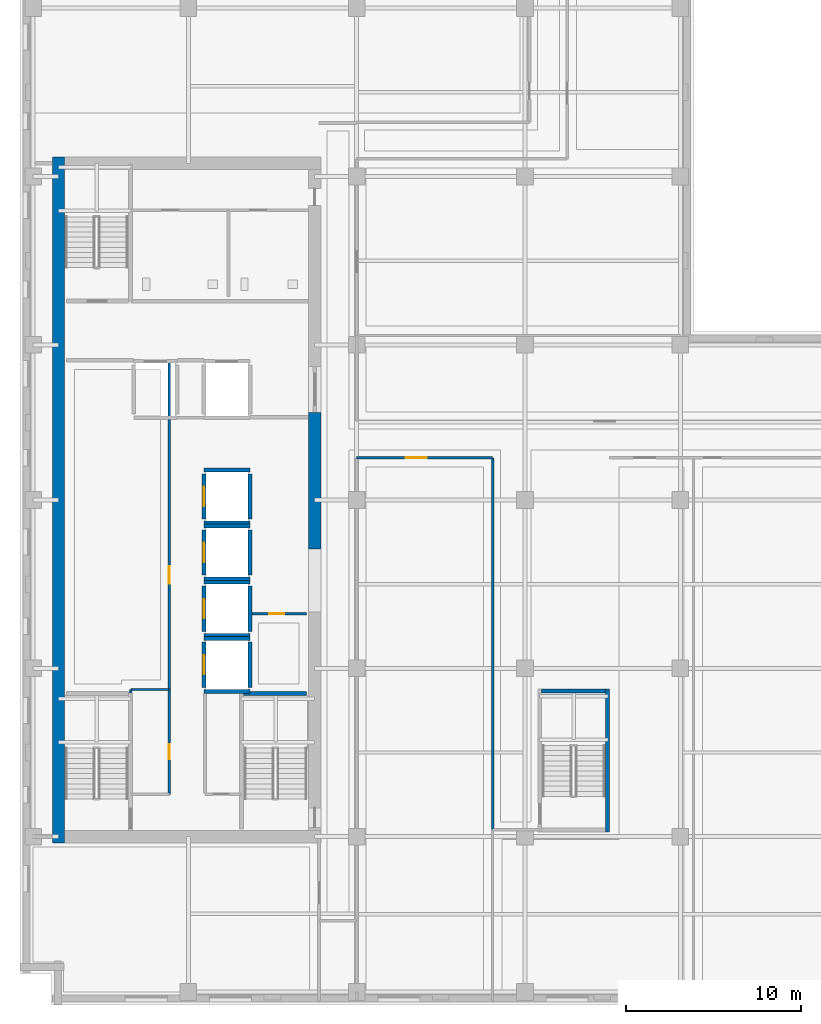
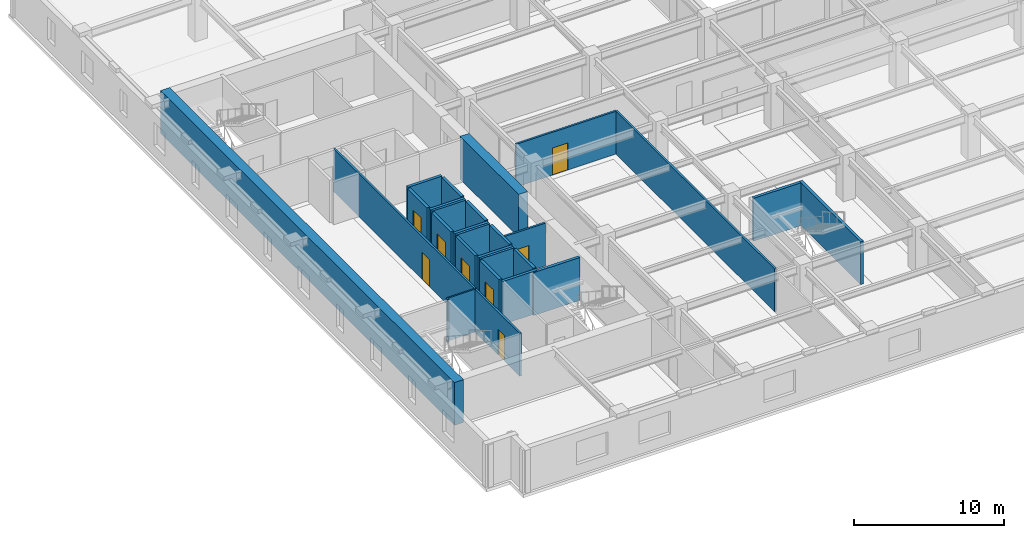
# One storey, part 5 of 13: 27 walls, 8 doors, 8 openings.
"""IFC4 building model written with IfcOpenShell, lengths in metres."""

from ifc_helpers import new_model, si_unit, direction, frame, frame_2d, origin, place, context, subcontext, project, spatial, rectangle, extrude, material, layer, layer_set, type_object, element, fill, save


model = new_model("IFC4")

# Units and contexts
model_context = context("Model", 3, precision=1e-05, world=origin(), true_north=direction((0.0, 1.0)))
body_context = subcontext(model_context, "Body", "Model", "MODEL_VIEW")
ifc_project = project(units=[si_unit("LENGTHUNIT", "METRE"), si_unit("AREAUNIT", "SQUARE_METRE"), si_unit("VOLUMEUNIT", "CUBIC_METRE"), si_unit("PLANEANGLEUNIT", "RADIAN"), si_unit("MASSUNIT", "GRAM", prefix="KILO")], contexts=[model_context])

# Site, building, storey
site_placement = place(None, origin())
site = spatial("IfcSite", under=ifc_project, at=site_placement, CompositionType="ELEMENT")
building_placement = place(site_placement, origin())
building = spatial("IfcBuilding", under=site, at=building_placement, Name="Norrvale University Quadrangle", CompositionType="ELEMENT")
storey_placement = place(building_placement, frame((0.0, 0.0, 190.199951171875)))
storey = spatial("IfcBuildingStorey", under=building, at=storey_placement, Name="L48", CompositionType="ELEMENT", Elevation=190.199951171875)

# Walls
ifc_material_1 = material(Name="Concrete C60/75", Category="concrete")
ifc_layer_1 = layer(ifc_material_1, 0.699951171875, Name="Concrete C60/75")
ifc_layer_set_1 = layer_set([ifc_layer_1], Name="Concrete C60/75")
wall_type_1 = type_object("IfcWallType", Name="Wall Core 700", PredefinedType="SHEAR", material=ifc_layer_set_1)
wall_1_placement = place(storey_placement, frame((2.199951171875, 9.25, 0.0), z_axis=(0.0, 0.0, 1.0), x_axis=(0.0, 1.0, 0.0)))
element("IfcWall", 1, at=wall_1_placement, inside=storey, type_object=wall_type_1, Name="Tower Core Shear Wall L48-W", PredefinedType="SHEAR", context=body_context, shape_type="SweptSolid", body=[
    extrude(rectangle(XDim=39.10009765625, YDim=0.699951171875, at=frame_2d((19.550048828125, 0.0))), origin(), (0.0, 0.0, 1.0), 3.47998046875),
])
wall_2_placement = place(storey_placement, frame((16.800048828125, 26.0, 0.0), z_axis=(0.0, 0.0, 1.0), x_axis=(0.0, 1.0, 0.0)))
element("IfcWall", 2, at=wall_2_placement, inside=storey, type_object=wall_type_1, Name="Tower Core Shear Wall L48-E2", PredefinedType="SHEAR", context=body_context, shape_type="SweptSolid", body=[
    extrude(rectangle(XDim=7.800048828125, YDim=0.699951171875, at=frame_2d((3.89990234375, 0.0))), origin(), (0.0, 0.0, 1.0), 3.47998046875),
])
ifc_material_2 = material(Name="Standard Academic Gypsum Partition")
ifc_layer_2 = layer(ifc_material_2, 0.125, Name="Standard Academic Gypsum Partition")
ifc_layer_set_2 = layer_set([ifc_layer_2], Name="Standard Academic Gypsum Partition")
wall_type_2 = type_object("IfcWallType", Name="Wall Gypsum Academic 125", PredefinedType="PARTITIONING", material=ifc_layer_set_2)
wall_3_placement = place(storey_placement, frame((6.320068359375, 17.800048828125, 0.0), z_axis=(0.0, 0.0, 1.0), x_axis=(0.0, 1.0, 0.0)))
element("IfcWall", 3, at=wall_3_placement, inside=storey, type_object=wall_type_2, Name="Interior Partition WL-L48-REC-L1", PredefinedType="PARTITIONING", context=body_context, shape_type="SweptSolid", body=[
    extrude(rectangle(XDim=0.199951171875, YDim=0.125, at=frame_2d((0.10009765625, 0.0))), origin(), (0.0, 0.0, 1.0), 3.47998046875),
])
wall_4_placement = place(storey_placement, frame((6.320068359375, 18.0, 0.0), z_axis=(0.0, 0.0, 1.0), x_axis=(1.0, 0.0, 0.0)))
element("IfcWall", 4, at=wall_4_placement, inside=storey, type_object=wall_type_2, Name="Interior Partition WL-L48-REC-L2", PredefinedType="PARTITIONING", context=body_context, shape_type="SweptSolid", body=[
    extrude(rectangle(XDim=2.199951171875, YDim=0.125, at=frame_2d((1.10009765625, 0.0))), origin(), (0.0, 0.0, 1.0), 3.47998046875),
])

# Wall, opening, door
ifc_material_3 = material(Name="Fire-Rated Gypsum Stud Partition")
ifc_layer_3 = layer(ifc_material_3, 0.14990234375, Name="Fire-Rated Gypsum Stud Partition")
ifc_layer_set_3 = layer_set([ifc_layer_3], Name="Fire-Rated Gypsum Stud Partition")
wall_type_3 = type_object("IfcWallType", Name="Wall Gypsum Corridor 150", PredefinedType="PARTITIONING", material=ifc_layer_set_3)
wall_5_placement = place(storey_placement, frame((13.22509765625, 22.320068359375, 0.0), z_axis=(0.0, 0.0, 1.0), x_axis=(1.0, 0.0, 0.0)))
wall_5 = element("IfcWall", 5, at=wall_5_placement, inside=storey, type_object=wall_type_3, Name="Interior Partition WL-L48-JAN-N", PredefinedType="PARTITIONING", context=body_context, shape_type="SweptSolid", body=[
    extrude(rectangle(XDim=3.119873046875, YDim=0.14990234375, at=frame_2d((1.56005859375, 0.0))), origin(), (0.0, 0.0, 1.0), 3.47998046875),
])
opening_1_placement = place(wall_5_placement, frame((1.0, 0.0, 0.0)))
opening_1 = element("IfcOpeningElement", 6, at=opening_1_placement, cuts=wall_5, Name="Opening D10", PredefinedType="OPENING", context=body_context, shape_type="SweptSolid", body=[
    extrude(rectangle(XDim=0.85009765625, YDim=2.10009765625, at=frame_2d((0.425048828125, 1.050048828125))), frame((0.0, 0.0869140625, 0.0), z_axis=(0.0, -1.0, 0.0), x_axis=(1.0, 0.0, 0.0)), (0.0, 0.0, 1.0), 0.173828125),
])
ifc_material_4 = material(Name="Hollow Steel 350W Riser Fire Door", Category="steel")
door_type_1 = type_object("IfcDoorType", Name="Door Riser 850x2100", OperationType="NOTDEFINED", PredefinedType="DOOR", material=ifc_material_4)
door_1_placement = place(opening_1_placement, origin())
door_1 = element("IfcDoor", 7, at=door_1_placement, inside=storey, type_object=door_type_1, Name="Door Riser 850x2100 DR-L48-JAN", OperationType="SINGLE_SWING_LEFT", OverallHeight=2.10009765625, OverallWidth=0.85009765625, PredefinedType="DOOR", context=body_context, shape_type="SweptSolid", body=[
    extrude(rectangle(XDim=0.85009765625, YDim=2.10009765625, at=frame_2d((0.425048828125, 1.050048828125))), frame((0.0, 0.02490234375, 0.0), z_axis=(0.0, -1.0, 0.0), x_axis=(1.0, 0.0, 0.0)), (0.0, 0.0, 1.0), 0.050048828125),
])
fill(opening_1, door_1)

# Wall, openings, doors
wall_6_placement = place(storey_placement, frame((8.52001953125, 12.02001953125, 0.0), z_axis=(0.0, 0.0, 1.0), x_axis=(0.0, 1.0, 0.0)))
wall_6 = element("IfcWall", 8, at=wall_6_placement, inside=storey, type_object=wall_type_3, Name="Interior Partition WL-L48-REC-E", PredefinedType="PARTITIONING", context=body_context, shape_type="SweptSolid", body=[
    extrude(rectangle(XDim=24.760009765625, YDim=0.14990234375, at=frame_2d((12.3798828125, 0.0))), origin(), (0.0, 0.0, 1.0), 3.47998046875),
])
opening_2_placement = place(wall_6_placement, frame((2.0, 0.0, 0.0)))
opening_2 = element("IfcOpeningElement", 9, at=opening_2_placement, cuts=wall_6, Name="Opening D10", PredefinedType="OPENING", context=body_context, shape_type="SweptSolid", body=[
    extrude(rectangle(XDim=0.85009765625, YDim=2.10009765625, at=frame_2d((0.425048828125, 1.050048828125))), frame((0.0, 0.0869140625, 0.0), z_axis=(0.0, -1.0, 0.0), x_axis=(1.0, 0.0, 0.0)), (0.0, 0.0, 1.0), 0.173828125),
])
opening_3_placement = place(wall_6_placement, frame((12.0, 0.0, 0.0)))
opening_3 = element("IfcOpeningElement", 10, at=opening_3_placement, cuts=wall_6, Name="Opening D04", PredefinedType="OPENING", context=body_context, shape_type="SweptSolid", body=[
    extrude(rectangle(XDim=1.0, YDim=2.199951171875, at=frame_2d((0.5, 1.10009765625))), frame((0.0, 0.0869140625, 0.0), z_axis=(0.0, -1.0, 0.0), x_axis=(1.0, 0.0, 0.0)), (0.0, 0.0, 1.0), 0.173828125),
])
ifc_material_5 = material(Name="Solid-Core Oak Fire Door", Category="wood")
door_type_2 = type_object("IfcDoorType", Name="Door Corridor 1000x2200", OperationType="NOTDEFINED", PredefinedType="DOOR", material=ifc_material_5)
door_2_placement = place(opening_3_placement, origin())
door_2 = element("IfcDoor", 11, at=door_2_placement, inside=storey, type_object=door_type_2, Name="Door Corridor 1000x2200 DR-L48-REC2", OperationType="SINGLE_SWING_RIGHT", OverallHeight=2.199951171875, OverallWidth=1.0, PredefinedType="DOOR", context=body_context, shape_type="SweptSolid", body=[
    extrude(rectangle(XDim=1.0, YDim=2.199951171875, at=frame_2d((0.5, 1.10009765625))), frame((0.0, 0.02490234375, 0.0), z_axis=(0.0, -1.0, 0.0), x_axis=(1.0, 0.0, 0.0)), (0.0, 0.0, 1.0), 0.050048828125),
])
fill(opening_3, door_2)
door_3_placement = place(opening_2_placement, origin())
door_3 = element("IfcDoor", 12, at=door_3_placement, inside=storey, type_object=door_type_1, Name="Door Riser 850x2100 DR-L48-REC1", OperationType="SINGLE_SWING_LEFT", OverallHeight=2.10009765625, OverallWidth=0.85009765625, PredefinedType="DOOR", context=body_context, shape_type="SweptSolid", body=[
    extrude(rectangle(XDim=0.85009765625, YDim=2.10009765625, at=frame_2d((0.425048828125, 1.050048828125))), frame((0.0, 0.02490234375, 0.0), z_axis=(0.0, -1.0, 0.0), x_axis=(1.0, 0.0, 0.0)), (0.0, 0.0, 1.0), 0.050048828125),
])
fill(opening_2, door_3)

# Wall, opening, door
wall_7_placement = place(storey_placement, frame((19.199951171875, 31.199951171875, 0.0), z_axis=(0.0, 0.0, 1.0), x_axis=(1.0, 0.0, 0.0)))
wall_7 = element("IfcWall", 13, at=wall_7_placement, inside=storey, type_object=wall_type_3, Name="Interior Partition WL-L48-SEW1", PredefinedType="PARTITIONING", context=body_context, shape_type="SweptSolid", body=[
    extrude(rectangle(XDim=7.75, YDim=0.14990234375, at=frame_2d((3.875, 0.0))), origin(), (0.0, 0.0, 1.0), 3.47998046875),
])
opening_4_placement = place(wall_7_placement, frame((2.800048828125, 0.0, 0.0)))
opening_4 = element("IfcOpeningElement", 14, at=opening_4_placement, cuts=wall_7, Name="Opening D05", PredefinedType="OPENING", context=body_context, shape_type="SweptSolid", body=[
    extrude(rectangle(XDim=1.199951171875, YDim=2.199951171875, at=frame_2d((0.60009765625, 1.10009765625))), frame((0.0, 0.0869140625, 0.0), z_axis=(0.0, -1.0, 0.0), x_axis=(1.0, 0.0, 0.0)), (0.0, 0.0, 1.0), 0.173828125),
])
ifc_material_6 = material(Name="Acoustic Oak Classroom Door", Category="wood")
door_type_3 = type_object("IfcDoorType", Name="Door Classroom 1200x2200", OperationType="NOTDEFINED", PredefinedType="DOOR", material=ifc_material_6)
door_4_placement = place(opening_4_placement, origin())
door_4 = element("IfcDoor", 15, at=door_4_placement, inside=storey, type_object=door_type_3, Name="Door Classroom 1200x2200 DR-L48-SE1", OperationType="SINGLE_SWING_LEFT", OverallHeight=2.199951171875, OverallWidth=1.199951171875, PredefinedType="DOOR", context=body_context, shape_type="SweptSolid", body=[
    extrude(rectangle(XDim=1.199951171875, YDim=2.199951171875, at=frame_2d((0.60009765625, 1.10009765625))), frame((0.0, 0.02490234375, 0.0), z_axis=(0.0, -1.0, 0.0), x_axis=(1.0, 0.0, 0.0)), (0.0, 0.0, 1.0), 0.050048828125),
])
fill(opening_4, door_4)

# Walls
wall_8_placement = place(storey_placement, frame((26.949951171875, 10.0, 0.0), z_axis=(0.0, 0.0, 1.0), x_axis=(0.0, 1.0, 0.0)))
element("IfcWall", 16, at=wall_8_placement, inside=storey, type_object=wall_type_3, Name="Interior Partition WL-L48-SEP1B", PredefinedType="PARTITIONING", context=body_context, shape_type="SweptSolid", body=[
    extrude(rectangle(XDim=21.199951171875, YDim=0.14990234375, at=frame_2d((10.60009765625, 0.0))), origin(), (0.0, 0.0, 1.0), 3.47998046875),
])
ifc_material_7 = material(Name="Concrete Blockwork 20 MPa Fire Shaft", Category="masonry")
ifc_layer_4 = layer(ifc_material_7, 0.219970703125, Name="Concrete Blockwork 20 MPa Fire Shaft")
ifc_layer_set_4 = layer_set([ifc_layer_4], Name="Concrete Blockwork 20 MPa Fire Shaft")
wall_type_4 = type_object("IfcWallType", Name="Wall Shaft 220", PredefinedType="SOLIDWALL", material=ifc_layer_set_4)
wall_9_placement = place(storey_placement, frame((12.75, 17.760009765625, 0.0), z_axis=(0.0, 0.0, 1.0), x_axis=(1.0, 0.0, 0.0)))
element("IfcWall", 17, at=wall_9_placement, inside=storey, type_object=wall_type_4, Name="Stair ST-03 North Shaft Wall L48", PredefinedType="SOLIDWALL", context=body_context, shape_type="SweptSolid", body=[
    extrude(rectangle(XDim=3.60009765625, YDim=0.219970703125, at=frame_2d((1.800048828125, 0.0))), origin(), (0.0, 0.0, 1.0), 3.47998046875),
])
wall_10_placement = place(storey_placement, frame((33.510009765625, 9.8798828125, 0.0), z_axis=(0.0, 0.0, 1.0), x_axis=(0.0, 1.0, 0.0)))
element("IfcWall", 18, at=wall_10_placement, inside=storey, type_object=wall_type_4, Name="Stair ST-04 East Shaft Wall L48", PredefinedType="SOLIDWALL", context=body_context, shape_type="SweptSolid", body=[
    extrude(rectangle(XDim=8.14013671875, YDim=0.219970703125, at=frame_2d((4.070068359375, 0.0))), origin(), (0.0, 0.0, 1.0), 3.47998046875),
])
wall_11_placement = place(storey_placement, frame((29.75, 17.909912109375, 0.0), z_axis=(0.0, 0.0, 1.0), x_axis=(1.0, 0.0, 0.0)))
element("IfcWall", 19, at=wall_11_placement, inside=storey, type_object=wall_type_4, Name="Stair ST-04 North Shaft Wall L48", PredefinedType="SOLIDWALL", context=body_context, shape_type="SweptSolid", body=[
    extrude(rectangle(XDim=3.64990234375, YDim=0.219970703125, at=frame_2d((1.824951171875, 0.0))), origin(), (0.0, 0.0, 1.0), 3.47998046875),
])

# Wall, opening, door
wall_12_placement = place(storey_placement, frame((10.489990234375, 18.110107421875, 0.0), z_axis=(0.0, 0.0, 1.0), x_axis=(0.0, 1.0, 0.0)))
wall_12 = element("IfcWall", 20, at=wall_12_placement, inside=storey, type_object=wall_type_4, Name="Hoistway PL-05 West Wall L48", PredefinedType="SOLIDWALL", context=body_context, shape_type="SweptSolid", body=[
    extrude(rectangle(XDim=2.579833984375, YDim=0.219970703125, at=frame_2d((1.2900390625, 0.0))), origin(), (0.0, 0.0, 1.0), 3.47998046875),
])
opening_5_placement = place(wall_12_placement, frame((0.739990234375, 0.0, 0.0)))
opening_5 = element("IfcOpeningElement", 21, at=opening_5_placement, cuts=wall_12, Name="Opening LD1", PredefinedType="OPENING", context=body_context, shape_type="SweptSolid", body=[
    extrude(rectangle(XDim=1.10009765625, YDim=2.199951171875, at=frame_2d((0.550048828125, 1.10009765625))), frame((0.0, 0.1220703125, 0.0), z_axis=(0.0, -1.0, 0.0), x_axis=(1.0, 0.0, 0.0)), (0.0, 0.0, 1.0), 0.243896484375),
])
ifc_material_8 = material(Name="Stainless Steel 316L Lift Landing Door", Category="steel")
door_type_4 = type_object("IfcDoorType", Name="Door Lift Landing 1100x2200", OperationType="DOUBLE_DOOR_SLIDING", PredefinedType="DOOR", material=ifc_material_8)
door_5_placement = place(opening_5_placement, origin())
door_5 = element("IfcDoor", 22, at=door_5_placement, inside=storey, type_object=door_type_4, Name="Elevator Landing Door DR-L48-PL-05", OperationType="DOUBLE_DOOR_SLIDING", OverallHeight=2.199951171875, OverallWidth=1.10009765625, PredefinedType="DOOR", context=body_context, shape_type="SweptSolid", body=[
    extrude(rectangle(XDim=1.10009765625, YDim=2.199951171875, at=frame_2d((0.550048828125, 1.10009765625))), frame((0.0, 0.02490234375, 0.0), z_axis=(0.0, -1.0, 0.0), x_axis=(1.0, 0.0, 0.0)), (0.0, 0.0, 1.0), 0.050048828125),
])
fill(opening_5, door_5)

# Walls
wall_13_placement = place(storey_placement, frame((13.110107421875, 18.110107421875, 0.0), z_axis=(0.0, 0.0, 1.0), x_axis=(0.0, 1.0, 0.0)))
element("IfcWall", 23, at=wall_13_placement, inside=storey, type_object=wall_type_4, Name="Hoistway PL-05 East Wall L48", PredefinedType="SOLIDWALL", context=body_context, shape_type="SweptSolid", body=[
    extrude(rectangle(XDim=2.579833984375, YDim=0.219970703125, at=frame_2d((1.2900390625, 0.0))), origin(), (0.0, 0.0, 1.0), 3.47998046875),
])
for number, where, z_axis, x_axis, name in (
    (24, (10.489990234375, 17.889892578125, 0.0), (0.0, 0.0, 1.0), (1.0, 0.0, 0.0), "Hoistway PL-05 South Wall L48"),
    (25, (10.489990234375, 20.909912109375, 0.0), (0.0, 0.0, 1.0), (1.0, 0.0, 0.0), "Hoistway PL-05 North Wall L48"),
):
    element("IfcWall", number, at=place(storey_placement, frame(where, z_axis=z_axis, x_axis=x_axis)), inside=storey, type_object=wall_type_4, Name=name, PredefinedType="SOLIDWALL", context=body_context, shape_type="SweptSolid", body=[
        extrude(rectangle(XDim=2.6201171875, YDim=0.219970703125, at=frame_2d((1.31005859375, 0.0))), origin(), (0.0, 0.0, 1.0), 3.47998046875),
    ])

# Wall, opening, door
wall_14_placement = place(storey_placement, frame((10.489990234375, 21.31005859375, 0.0), z_axis=(0.0, 0.0, 1.0), x_axis=(0.0, 1.0, 0.0)))
wall_14 = element("IfcWall", 26, at=wall_14_placement, inside=storey, type_object=wall_type_4, Name="Hoistway PL-06 West Wall L48", PredefinedType="SOLIDWALL", context=body_context, shape_type="SweptSolid", body=[
    extrude(rectangle(XDim=2.579833984375, YDim=0.219970703125, at=frame_2d((1.2900390625, 0.0))), origin(), (0.0, 0.0, 1.0), 3.47998046875),
])
opening_6_placement = place(wall_14_placement, frame((0.739990234375, 0.0, 0.0)))
opening_6 = element("IfcOpeningElement", 27, at=opening_6_placement, cuts=wall_14, Name="Opening LD1", PredefinedType="OPENING", context=body_context, shape_type="SweptSolid", body=[
    extrude(rectangle(XDim=1.10009765625, YDim=2.199951171875, at=frame_2d((0.550048828125, 1.10009765625))), frame((0.0, 0.1220703125, 0.0), z_axis=(0.0, -1.0, 0.0), x_axis=(1.0, 0.0, 0.0)), (0.0, 0.0, 1.0), 0.243896484375),
])
door_6_placement = place(opening_6_placement, origin())
door_6 = element("IfcDoor", 28, at=door_6_placement, inside=storey, type_object=door_type_4, Name="Elevator Landing Door DR-L48-PL-06", OperationType="DOUBLE_DOOR_SLIDING", OverallHeight=2.199951171875, OverallWidth=1.10009765625, PredefinedType="DOOR", context=body_context, shape_type="SweptSolid", body=[
    extrude(rectangle(XDim=1.10009765625, YDim=2.199951171875, at=frame_2d((0.550048828125, 1.10009765625))), frame((0.0, 0.02490234375, 0.0), z_axis=(0.0, -1.0, 0.0), x_axis=(1.0, 0.0, 0.0)), (0.0, 0.0, 1.0), 0.050048828125),
])
fill(opening_6, door_6)

# Walls
wall_15_placement = place(storey_placement, frame((13.110107421875, 21.31005859375, 0.0), z_axis=(0.0, 0.0, 1.0), x_axis=(0.0, 1.0, 0.0)))
element("IfcWall", 29, at=wall_15_placement, inside=storey, type_object=wall_type_4, Name="Hoistway PL-06 East Wall L48", PredefinedType="SOLIDWALL", context=body_context, shape_type="SweptSolid", body=[
    extrude(rectangle(XDim=2.579833984375, YDim=0.219970703125, at=frame_2d((1.2900390625, 0.0))), origin(), (0.0, 0.0, 1.0), 3.47998046875),
])
for number, where, z_axis, x_axis, name in (
    (30, (10.489990234375, 21.090087890625, 0.0), (0.0, 0.0, 1.0), (1.0, 0.0, 0.0), "Hoistway PL-06 South Wall L48"),
    (31, (10.489990234375, 24.110107421875, 0.0), (0.0, 0.0, 1.0), (1.0, 0.0, 0.0), "Hoistway PL-06 North Wall L48"),
):
    element("IfcWall", number, at=place(storey_placement, frame(where, z_axis=z_axis, x_axis=x_axis)), inside=storey, type_object=wall_type_4, Name=name, PredefinedType="SOLIDWALL", context=body_context, shape_type="SweptSolid", body=[
        extrude(rectangle(XDim=2.6201171875, YDim=0.219970703125, at=frame_2d((1.31005859375, 0.0))), origin(), (0.0, 0.0, 1.0), 3.47998046875),
    ])

# Wall, opening, door
wall_16_placement = place(storey_placement, frame((10.489990234375, 24.510009765625, 0.0), z_axis=(0.0, 0.0, 1.0), x_axis=(0.0, 1.0, 0.0)))
wall_16 = element("IfcWall", 32, at=wall_16_placement, inside=storey, type_object=wall_type_4, Name="Hoistway PL-07 West Wall L48", PredefinedType="SOLIDWALL", context=body_context, shape_type="SweptSolid", body=[
    extrude(rectangle(XDim=2.580078125, YDim=0.219970703125, at=frame_2d((1.2900390625, 0.0))), origin(), (0.0, 0.0, 1.0), 3.47998046875),
])
opening_7_placement = place(wall_16_placement, frame((0.739990234375, 0.0, 0.0)))
opening_7 = element("IfcOpeningElement", 33, at=opening_7_placement, cuts=wall_16, Name="Opening LD1", PredefinedType="OPENING", context=body_context, shape_type="SweptSolid", body=[
    extrude(rectangle(XDim=1.10009765625, YDim=2.199951171875, at=frame_2d((0.550048828125, 1.10009765625))), frame((0.0, 0.1220703125, 0.0), z_axis=(0.0, -1.0, 0.0), x_axis=(1.0, 0.0, 0.0)), (0.0, 0.0, 1.0), 0.243896484375),
])
door_7_placement = place(opening_7_placement, origin())
door_7 = element("IfcDoor", 34, at=door_7_placement, inside=storey, type_object=door_type_4, Name="Elevator Landing Door DR-L48-PL-07", OperationType="DOUBLE_DOOR_SLIDING", OverallHeight=2.199951171875, OverallWidth=1.10009765625, PredefinedType="DOOR", context=body_context, shape_type="SweptSolid", body=[
    extrude(rectangle(XDim=1.10009765625, YDim=2.199951171875, at=frame_2d((0.550048828125, 1.10009765625))), frame((0.0, 0.02490234375, 0.0), z_axis=(0.0, -1.0, 0.0), x_axis=(1.0, 0.0, 0.0)), (0.0, 0.0, 1.0), 0.050048828125),
])
fill(opening_7, door_7)

# Walls
wall_17_placement = place(storey_placement, frame((13.110107421875, 24.510009765625, 0.0), z_axis=(0.0, 0.0, 1.0), x_axis=(0.0, 1.0, 0.0)))
element("IfcWall", 35, at=wall_17_placement, inside=storey, type_object=wall_type_4, Name="Hoistway PL-07 East Wall L48", PredefinedType="SOLIDWALL", context=body_context, shape_type="SweptSolid", body=[
    extrude(rectangle(XDim=2.580078125, YDim=0.219970703125, at=frame_2d((1.2900390625, 0.0))), origin(), (0.0, 0.0, 1.0), 3.47998046875),
])
for number, where, z_axis, x_axis, name in (
    (36, (10.489990234375, 24.2900390625, 0.0), (0.0, 0.0, 1.0), (1.0, 0.0, 0.0), "Hoistway PL-07 South Wall L48"),
    (37, (10.489990234375, 27.31005859375, 0.0), (0.0, 0.0, 1.0), (1.0, 0.0, 0.0), "Hoistway PL-07 North Wall L48"),
):
    element("IfcWall", number, at=place(storey_placement, frame(where, z_axis=z_axis, x_axis=x_axis)), inside=storey, type_object=wall_type_4, Name=name, PredefinedType="SOLIDWALL", context=body_context, shape_type="SweptSolid", body=[
        extrude(rectangle(XDim=2.6201171875, YDim=0.219970703125, at=frame_2d((1.31005859375, 0.0))), origin(), (0.0, 0.0, 1.0), 3.47998046875),
    ])

# Wall, opening, door
wall_18_placement = place(storey_placement, frame((10.489990234375, 27.7099609375, 0.0), z_axis=(0.0, 0.0, 1.0), x_axis=(0.0, 1.0, 0.0)))
wall_18 = element("IfcWall", 38, at=wall_18_placement, inside=storey, type_object=wall_type_4, Name="Hoistway PL-08 West Wall L48", PredefinedType="SOLIDWALL", context=body_context, shape_type="SweptSolid", body=[
    extrude(rectangle(XDim=2.580078125, YDim=0.219970703125, at=frame_2d((1.2900390625, 0.0))), origin(), (0.0, 0.0, 1.0), 3.47998046875),
])
opening_8_placement = place(wall_18_placement, frame((0.739990234375, 0.0, 0.0)))
opening_8 = element("IfcOpeningElement", 39, at=opening_8_placement, cuts=wall_18, Name="Opening LD1", PredefinedType="OPENING", context=body_context, shape_type="SweptSolid", body=[
    extrude(rectangle(XDim=1.10009765625, YDim=2.199951171875, at=frame_2d((0.550048828125, 1.10009765625))), frame((0.0, 0.1220703125, 0.0), z_axis=(0.0, -1.0, 0.0), x_axis=(1.0, 0.0, 0.0)), (0.0, 0.0, 1.0), 0.243896484375),
])
door_8_placement = place(opening_8_placement, origin())
door_8 = element("IfcDoor", 40, at=door_8_placement, inside=storey, type_object=door_type_4, Name="Elevator Landing Door DR-L48-PL-08", OperationType="DOUBLE_DOOR_SLIDING", OverallHeight=2.199951171875, OverallWidth=1.10009765625, PredefinedType="DOOR", context=body_context, shape_type="SweptSolid", body=[
    extrude(rectangle(XDim=1.10009765625, YDim=2.199951171875, at=frame_2d((0.550048828125, 1.10009765625))), frame((0.0, 0.02490234375, 0.0), z_axis=(0.0, -1.0, 0.0), x_axis=(1.0, 0.0, 0.0)), (0.0, 0.0, 1.0), 0.050048828125),
])
fill(opening_8, door_8)

# Walls
wall_19_placement = place(storey_placement, frame((13.110107421875, 27.7099609375, 0.0), z_axis=(0.0, 0.0, 1.0), x_axis=(0.0, 1.0, 0.0)))
element("IfcWall", 41, at=wall_19_placement, inside=storey, type_object=wall_type_4, Name="Hoistway PL-08 East Wall L48", PredefinedType="SOLIDWALL", context=body_context, shape_type="SweptSolid", body=[
    extrude(rectangle(XDim=2.580078125, YDim=0.219970703125, at=frame_2d((1.2900390625, 0.0))), origin(), (0.0, 0.0, 1.0), 3.47998046875),
])
for number, where, z_axis, x_axis, name in (
    (42, (10.489990234375, 27.489990234375, 0.0), (0.0, 0.0, 1.0), (1.0, 0.0, 0.0), "Hoistway PL-08 South Wall L48"),
    (43, (10.489990234375, 30.510009765625, 0.0), (0.0, 0.0, 1.0), (1.0, 0.0, 0.0), "Hoistway PL-08 North Wall L48"),
):
    element("IfcWall", number, at=place(storey_placement, frame(where, z_axis=z_axis, x_axis=x_axis)), inside=storey, type_object=wall_type_4, Name=name, PredefinedType="SOLIDWALL", context=body_context, shape_type="SweptSolid", body=[
        extrude(rectangle(XDim=2.6201171875, YDim=0.219970703125, at=frame_2d((1.31005859375, 0.0))), origin(), (0.0, 0.0, 1.0), 3.47998046875),
    ])

save(model, "model.ifc")
